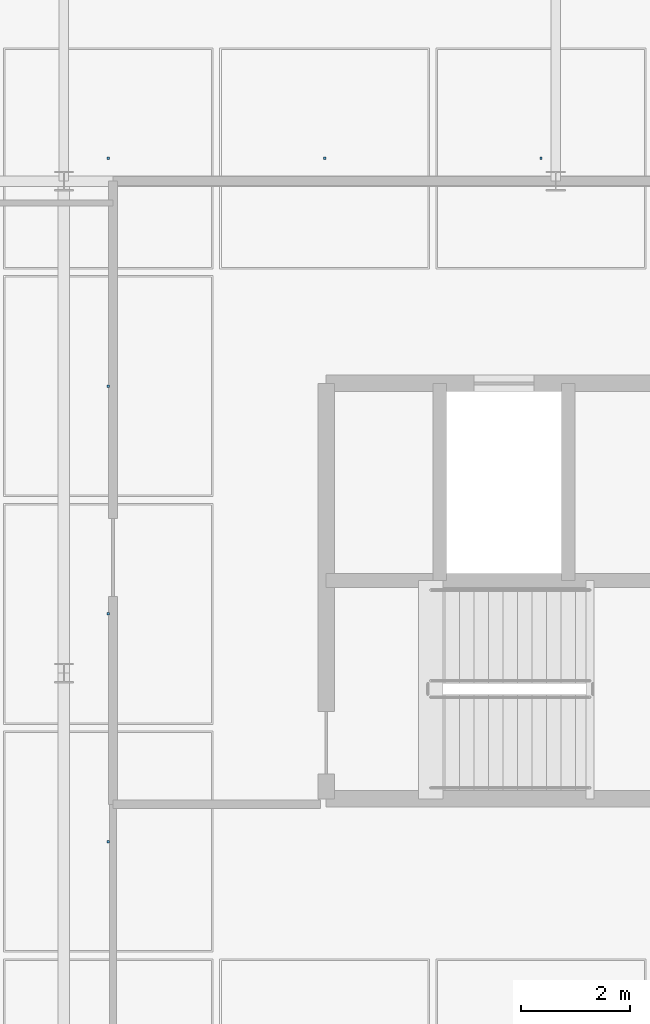
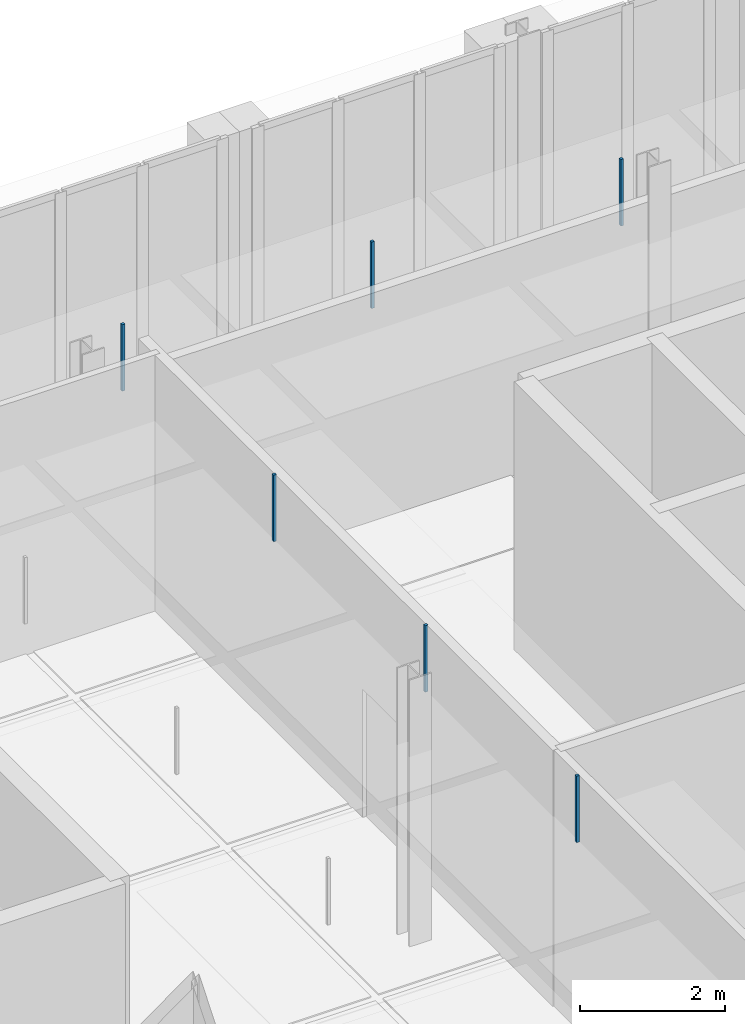
# One storey, part 114 of 130: 6 discrete accessories.
"""IFC4 building model written with IfcOpenShell, lengths in metres."""

from ifc_helpers import new_model, si_unit, direction, frame, origin, origin_2d, place, context, subcontext, project, spatial, rectangle, extrude, material, type_object, element, save


model = new_model("IFC4")

# Units and contexts
model_context = context("Model", 3, precision=1e-05, world=origin(), true_north=direction((0.0, 1.0)))
body_context = subcontext(model_context, "Body", "Model", "MODEL_VIEW")
ifc_project = project(units=[si_unit("LENGTHUNIT", "METRE"), si_unit("AREAUNIT", "SQUARE_METRE"), si_unit("VOLUMEUNIT", "CUBIC_METRE"), si_unit("PLANEANGLEUNIT", "RADIAN"), si_unit("MASSUNIT", "GRAM", prefix="KILO"), si_unit("THERMODYNAMICTEMPERATUREUNIT", "KELVIN"), si_unit("POWERUNIT", "WATT")], contexts=[model_context])

# Site, building, storey
site_placement = place(None, origin())
site = spatial("IfcSite", under=ifc_project, at=site_placement, CompositionType="ELEMENT")
building_placement = place(site_placement, origin())
building = spatial("IfcBuilding", under=site, at=building_placement, Name="Tallowbark Science Centre", CompositionType="ELEMENT")
storey_placement = place(building_placement, frame((0.0, 0.0, 5.39990234375)))
storey = spatial("IfcBuildingStorey", under=building, at=storey_placement, Name="L01", CompositionType="ELEMENT", Elevation=5.39990234375)

# Discrete accessories
ifc_material = material(Name="Galvanised Steel Grade C350L0 (350 MPa)", Category="steel")
discrete_accessory_type = type_object("IfcDiscreteAccessoryType", Name="ACC-CLG-HNG", PredefinedType="BRACKET", material=ifc_material)
for number, where, z_axis, x_axis, name in (
    (1, (131.3125, 95.916748046875, 3.2060546875), (0.0, 0.0, 1.0), (1.0, 0.0, 0.0), "Ceiling Hanger Bracket L01-710"),
    (2, (131.3125, 100.083251953125, 3.2060546875), (0.0, 0.0, 1.0), (1.0, 0.0, 0.0), "Ceiling Hanger Bracket L01-711"),
    (3, (131.3125, 104.25, 3.2060546875), (0.0, 0.0, 1.0), (1.0, 0.0, 0.0), "Ceiling Hanger Bracket L01-712"),
    (4, (131.3125, 108.416748046875, 3.2060546875), (0.0, 0.0, 1.0), (1.0, 0.0, 0.0), "Ceiling Hanger Bracket L01-713"),
    (5, (135.270751953125, 108.416748046875, 3.2060546875), (0.0, 0.0, 1.0), (1.0, 0.0, 0.0), "Ceiling Hanger Bracket L01-719"),
    (6, (139.229248046875, 108.416748046875, 3.2060546875), (0.0, 0.0, 1.0), (1.0, 0.0, 0.0), "Ceiling Hanger Bracket L01-725"),
):
    element("IfcDiscreteAccessory", number, at=place(storey_placement, frame(where, z_axis=z_axis, x_axis=x_axis)), inside=storey, type_object=discrete_accessory_type, Name=name, PredefinedType="BRACKET", context=body_context, shape_type="SweptSolid", body=[
        extrude(rectangle(XDim=0.044921875, YDim=0.044921875, at=origin_2d()), origin(), (0.0, 0.0, 1.0), 1.116943359375),
    ])

save(model, "model.ifc")
